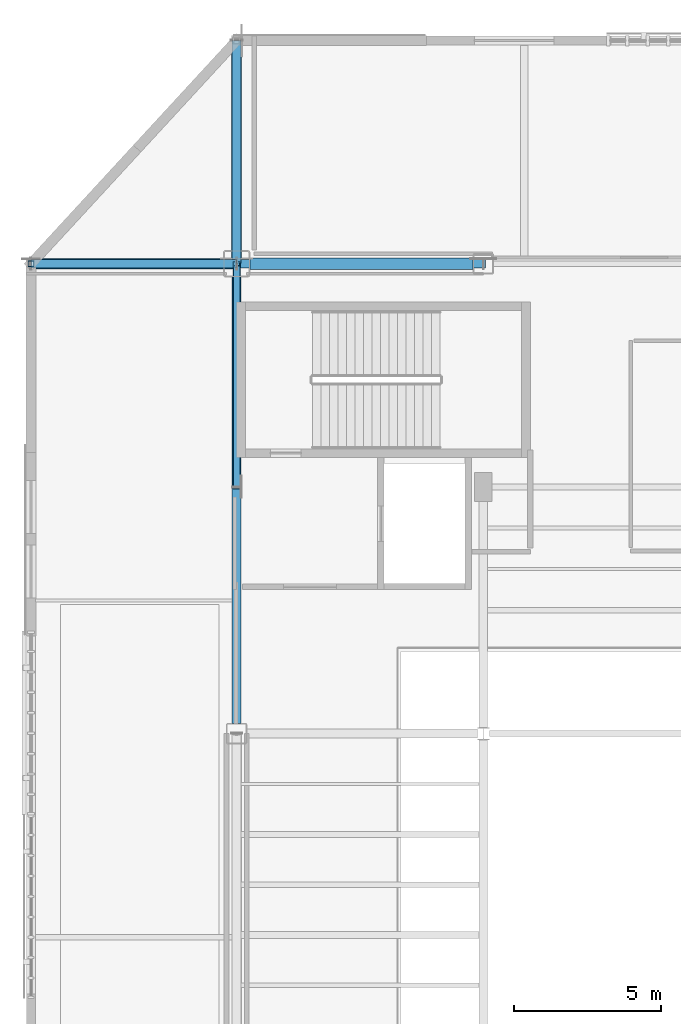
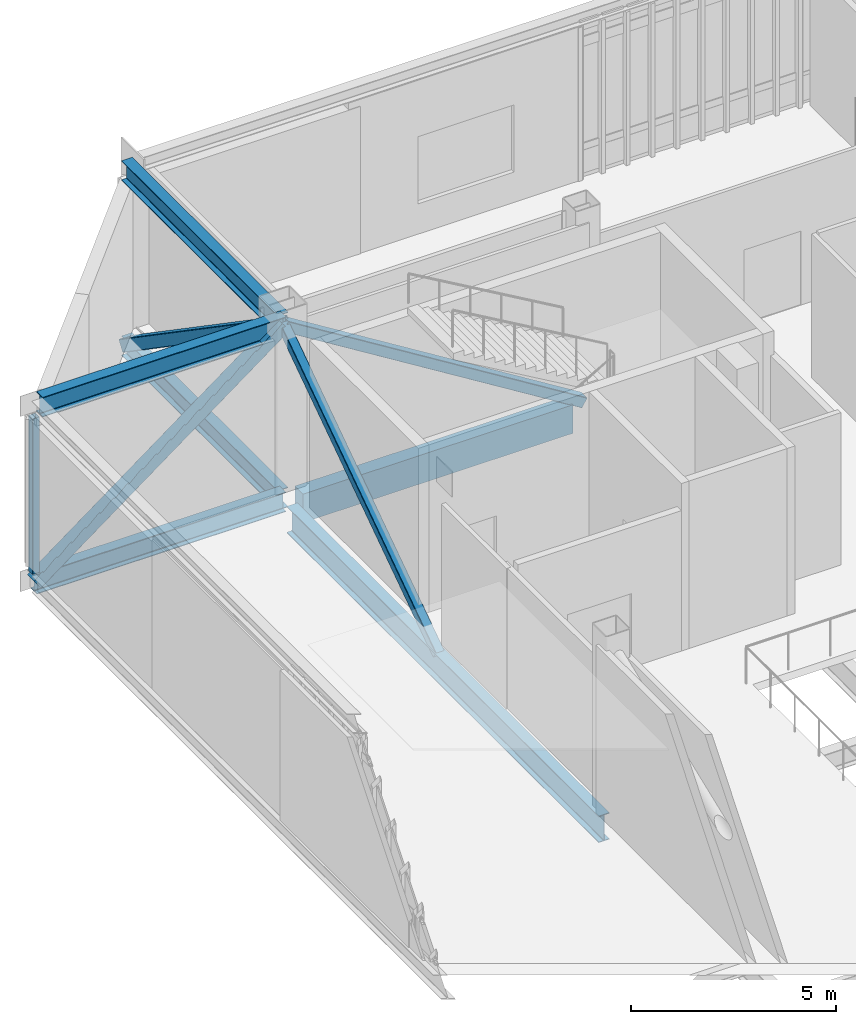
# One storey, part 33 of 127: 6 beams, 5 members.
"""IFC4 building model written with IfcOpenShell, lengths in metres."""

from ifc_helpers import new_model, si_unit, direction, frame, origin, origin_2d, place, context, subcontext, project, spatial, rectangle, hollow_rectangle, i_section, extrude, material, material_profile, profile_set, type_object, element, save


model = new_model("IFC4")

# Units and contexts
model_context = context("Model", 3, precision=1e-05, world=origin(), true_north=direction((0.0, 1.0)))
body_context = subcontext(model_context, "Body", "Model", "MODEL_VIEW")
ifc_project = project(units=[si_unit("LENGTHUNIT", "METRE"), si_unit("AREAUNIT", "SQUARE_METRE"), si_unit("VOLUMEUNIT", "CUBIC_METRE"), si_unit("PLANEANGLEUNIT", "RADIAN"), si_unit("MASSUNIT", "GRAM", prefix="KILO")], contexts=[model_context])

# Site, building, storey
site_placement = place(None, origin())
site = spatial("IfcSite", under=ifc_project, at=site_placement, CompositionType="ELEMENT")
building_placement = place(site_placement, origin())
building = spatial("IfcBuilding", under=site, at=building_placement, Name="Larkvane Passage Sports Hall", CompositionType="ELEMENT")
storey_placement = place(building_placement, frame((0.0, 0.0, 5.39990234375)))
storey = spatial("IfcBuildingStorey", under=building, at=storey_placement, Name="L01", CompositionType="ELEMENT", Elevation=5.39990234375)

# Beams
ifc_material_1 = material(Name="Steel S460N", Category="steel")
ifc_material_profile_1 = material_profile(ifc_material_1, i_section(OverallWidth=0.300048828125, OverallDepth=0.587890625, WebThickness=0.011962890625, FlangeThickness=0.02001953125, FilletRadius=0.02197265625, at=origin_2d()), Name="H-588x300x12x20")
ifc_profile_set_1 = profile_set([ifc_material_profile_1], Name="Steel S460N")
beam_type_1 = type_object("IfcBeamType", Name="BM-STL-H588", PredefinedType="BEAM", material=ifc_profile_set_1)
beam_1_placement = place(storey_placement, frame((27.800048828125, 91.60009765625, -0.52392578125), z_axis=(1.0, 0.0, 0.0), x_axis=(0.0, 1.0, 0.0)))
element("IfcBeam", 1, at=beam_1_placement, inside=storey, type_object=beam_type_1, Name="Cantilever truss CT-W1A-2 bottom chord 1", PredefinedType="BEAM", context=body_context, shape_type="SweptSolid", body=[
    extrude(i_section(OverallWidth=0.300048828125, OverallDepth=0.587890625, WebThickness=0.011962890625, FlangeThickness=0.02001953125, FilletRadius=0.02197265625, at=origin_2d()), origin(), (0.0, 0.0, 1.0), 7.0),
])
beam_2_placement = place(storey_placement, frame((27.955078125, 91.60009765625, 4.68603515625), z_axis=(1.0, 0.0, 0.0), x_axis=(0.0, 1.0, 0.0)))
element("IfcBeam", 2, at=beam_2_placement, inside=storey, type_object=beam_type_1, Name="Cantilever truss CT-W1A-2 top chord 1", PredefinedType="BEAM", context=body_context, shape_type="SweptSolid", body=[
    extrude(i_section(OverallWidth=0.300048828125, OverallDepth=0.587890625, WebThickness=0.011962890625, FlangeThickness=0.02001953125, FilletRadius=0.02197265625, at=origin_2d()), origin(), (0.0, 0.0, 1.0), 6.844970703125),
])
for number, where, z_axis, x_axis, name in (
    (3, (34.800048828125, 91.60009765625, -0.52392578125), (0.0, 1.0, 0.0), (-1.0, 0.0, 0.0), "Cantilever truss CT-N1A-1 bottom chord 2"),
    (4, (34.800048828125, 91.60009765625, 4.68603515625), (0.0, 1.0, 0.0), (-1.0, 0.0, 0.0), "Cantilever truss CT-N1A-1 top chord 2"),
):
    element("IfcBeam", number, at=place(storey_placement, frame(where, z_axis=z_axis, x_axis=x_axis)), inside=storey, type_object=beam_type_1, Name=name, PredefinedType="BEAM", context=body_context, shape_type="SweptSolid", body=[
        extrude(i_section(OverallWidth=0.300048828125, OverallDepth=0.587890625, WebThickness=0.011962890625, FlangeThickness=0.02001953125, FilletRadius=0.02197265625, at=origin_2d()), origin(), (0.0, 0.0, 1.0), 7.599853515625),
    ])
ifc_material_profile_2 = material_profile(ifc_material_1, i_section(OverallWidth=0.300048828125, OverallDepth=0.7919921875, WebThickness=0.013916015625, FlangeThickness=0.02197265625, FilletRadius=0.02197265625, at=origin_2d()), Name="H-792x300x14x22")
ifc_profile_set_2 = profile_set([ifc_material_profile_2], Name="Steel S460N")
beam_type_2 = type_object("IfcBeamType", Name="BM-STL-H792", PredefinedType="BEAM", material=ifc_profile_set_2)
beam_3_placement = place(storey_placement, frame((34.800048828125, 75.949951171875, -0.81591796875), z_axis=(0.0, 1.0, 0.0), x_axis=(-1.0, 0.0, 0.0)))
element("IfcBeam", 5, at=beam_3_placement, inside=storey, type_object=beam_type_2, Name="Girder BM5-Y-L01-6-0448", PredefinedType="BEAM", context=body_context, shape_type="SweptSolid", body=[
    extrude(i_section(OverallWidth=0.300048828125, OverallDepth=0.7919921875, WebThickness=0.013916015625, FlangeThickness=0.02197265625, FilletRadius=0.02197265625, at=origin_2d()), origin(), (0.0, 0.0, 1.0), 15.199951171875),
])

# Members
ifc_material_profile_3 = material_profile(ifc_material_1, hollow_rectangle(XDim=0.25, YDim=0.25, WallThickness=0.011962890625, InnerFilletRadius=0.011962890625, OuterFilletRadius=0.02392578125, at=origin_2d()), Name="SHS-250x250x12")
ifc_profile_set_3 = profile_set([ifc_material_profile_3], Name="Steel S460N")
member_type_1 = type_object("IfcMemberType", Name="MBR-BR-SHS250", PredefinedType="BRACE", material=ifc_profile_set_3)
member_1_placement = place(storey_placement, frame((34.800048828125, 84.0, -0.52392578125), z_axis=(0.0, 0.824806521197, 0.565415071068), x_axis=(-1.0, 0.0, 0.0)))
element("IfcMember", 6, at=member_1_placement, inside=storey, type_object=member_type_1, Name="Cantilever truss CT-N1A-1 web diagonal 1", PredefinedType="BRACE", context=body_context, shape_type="SweptSolid", body=[
    extrude(hollow_rectangle(XDim=0.25, YDim=0.25, WallThickness=0.011962890625, InnerFilletRadius=0.011962890625, OuterFilletRadius=0.02392578125, at=origin_2d()), origin(), (0.0, 0.0, 1.0), 9.21435546875),
])
ifc_material_profile_4 = material_profile(ifc_material_1, hollow_rectangle(XDim=0.300048828125, YDim=0.300048828125, WallThickness=0.011962890625, InnerFilletRadius=0.011962890625, OuterFilletRadius=0.02392578125, at=origin_2d()), Name="SHS-300x300x12")
ifc_profile_set_4 = profile_set([ifc_material_profile_4], Name="Steel S460N")
member_type_2 = type_object("IfcMemberType", Name="MBR-BR-SHS300", PredefinedType="BRACE", material=ifc_profile_set_4)
member_2_placement = place(storey_placement, frame((34.800048828125, 91.60009765625, 4.68603515625), z_axis=(0.84981108875, 0.0, -0.527087386907), x_axis=(0.0, 1.0, 0.0)))
element("IfcMember", 7, at=member_2_placement, inside=storey, type_object=member_type_2, Name="Cantilever truss CT-W1A-2 web diagonal 2", PredefinedType="BRACE", context=body_context, shape_type="SweptSolid", body=[
    extrude(hollow_rectangle(XDim=0.300048828125, YDim=0.300048828125, WallThickness=0.011962890625, InnerFilletRadius=0.011962890625, OuterFilletRadius=0.02392578125, at=origin_2d()), origin(), (0.0, 0.0, 1.0), 9.884521484375),
])
ifc_material_profile_5 = material_profile(ifc_material_1, hollow_rectangle(XDim=0.35009765625, YDim=0.35009765625, WallThickness=0.01611328125, InnerFilletRadius=0.01611328125, OuterFilletRadius=0.031982421875, at=origin_2d()), Name="SHS-350x350x16")
ifc_profile_set_5 = profile_set([ifc_material_profile_5], Name="Steel S460N")
member_type_3 = type_object("IfcMemberType", Name="MBR-BR-SHS350", PredefinedType="BRACE", material=ifc_profile_set_5)
member_3_placement = place(storey_placement, frame((27.800048828125, 91.60009765625, -0.52392578125), z_axis=(0.802197070875, 0.0, 0.597059343348), x_axis=(0.0, 1.0, 0.0)))
element("IfcMember", 8, at=member_3_placement, inside=storey, type_object=member_type_3, Name="Cantilever truss CT-W1A-2 web diagonal 1", PredefinedType="BRACE", context=body_context, shape_type="SweptSolid", body=[
    extrude(hollow_rectangle(XDim=0.35009765625, YDim=0.35009765625, WallThickness=0.01611328125, InnerFilletRadius=0.01611328125, OuterFilletRadius=0.031982421875, at=origin_2d()), origin(), (0.0, 0.0, 1.0), 8.72607421875),
])
member_4_placement = place(storey_placement, frame((34.800048828125, 91.60009765625, 4.68603515625), z_axis=(0.0, 0.824798050445, -0.565427427688), x_axis=(-1.0, 0.0, 0.0)))
element("IfcMember", 9, at=member_4_placement, inside=storey, type_object=member_type_3, Name="Cantilever truss CT-N1A-1 web diagonal 2", PredefinedType="BRACE", context=body_context, shape_type="SweptSolid", body=[
    extrude(hollow_rectangle(XDim=0.35009765625, YDim=0.35009765625, WallThickness=0.01611328125, InnerFilletRadius=0.01611328125, OuterFilletRadius=0.031982421875, at=origin_2d()), origin(), (0.0, 0.0, 1.0), 9.214111328125),
])
ifc_material_profile_6 = material_profile(ifc_material_1, hollow_rectangle(XDim=0.199951171875, YDim=0.199951171875, WallThickness=0.009033203125, InnerFilletRadius=0.009033203125, OuterFilletRadius=0.01806640625, at=origin_2d()), Name="SHS-200x200x9")
ifc_profile_set_6 = profile_set([ifc_material_profile_6], Name="Steel S460N")
member_type_4 = type_object("IfcMemberType", Name="MBR-ST-SHS200", PredefinedType="STRUT", material=ifc_profile_set_6)
member_5_placement = place(storey_placement, frame((27.800048828125, 91.60009765625, -0.22998046875), z_axis=(0.0, 0.0, 1.0), x_axis=(1.0, 0.0, 0.0)))
element("IfcMember", 10, at=member_5_placement, inside=storey, type_object=member_type_4, Name="Cantilever truss CT-W1A-2 vertical post 1", PredefinedType="STRUT", context=body_context, shape_type="SweptSolid", body=[
    extrude(hollow_rectangle(XDim=0.199951171875, YDim=0.199951171875, WallThickness=0.009033203125, InnerFilletRadius=0.009033203125, OuterFilletRadius=0.01806640625, at=origin_2d()), origin(), (0.0, 0.0, 1.0), 4.6220703125),
])

# Beam
ifc_material_2 = material(Name="Concrete C40/50", Category="concrete")
ifc_material_profile_7 = material_profile(ifc_material_2, rectangle(XDim=0.39990234375, YDim=0.85009765625, at=origin_2d()), Name="RC-SP-400x850")
ifc_profile_set_7 = profile_set([ifc_material_profile_7], Name="Concrete C40/50")
beam_type_3 = type_object("IfcBeamType", Name="SP-RC-400x850", PredefinedType="SPANDREL", material=ifc_profile_set_7)
beam_4_placement = place(storey_placement, frame((35.25, 91.60009765625, -0.844970703125), z_axis=(1.0, 0.0, 0.0), x_axis=(0.0, 1.0, 0.0)))
element("IfcBeam", 11, at=beam_4_placement, inside=storey, type_object=beam_type_3, Name="Girder BM5-X-L01-L-0434", PredefinedType="SPANDREL", context=body_context, shape_type="SweptSolid", body=[
    extrude(rectangle(XDim=0.39990234375, YDim=0.85009765625, at=origin_2d()), origin(), (0.0, 0.0, 1.0), 7.60009765625),
])

save(model, "model.ifc")
